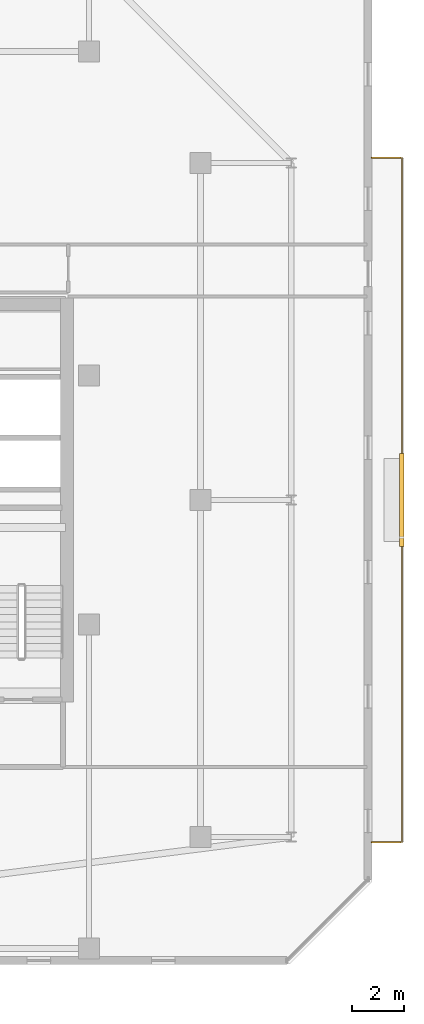
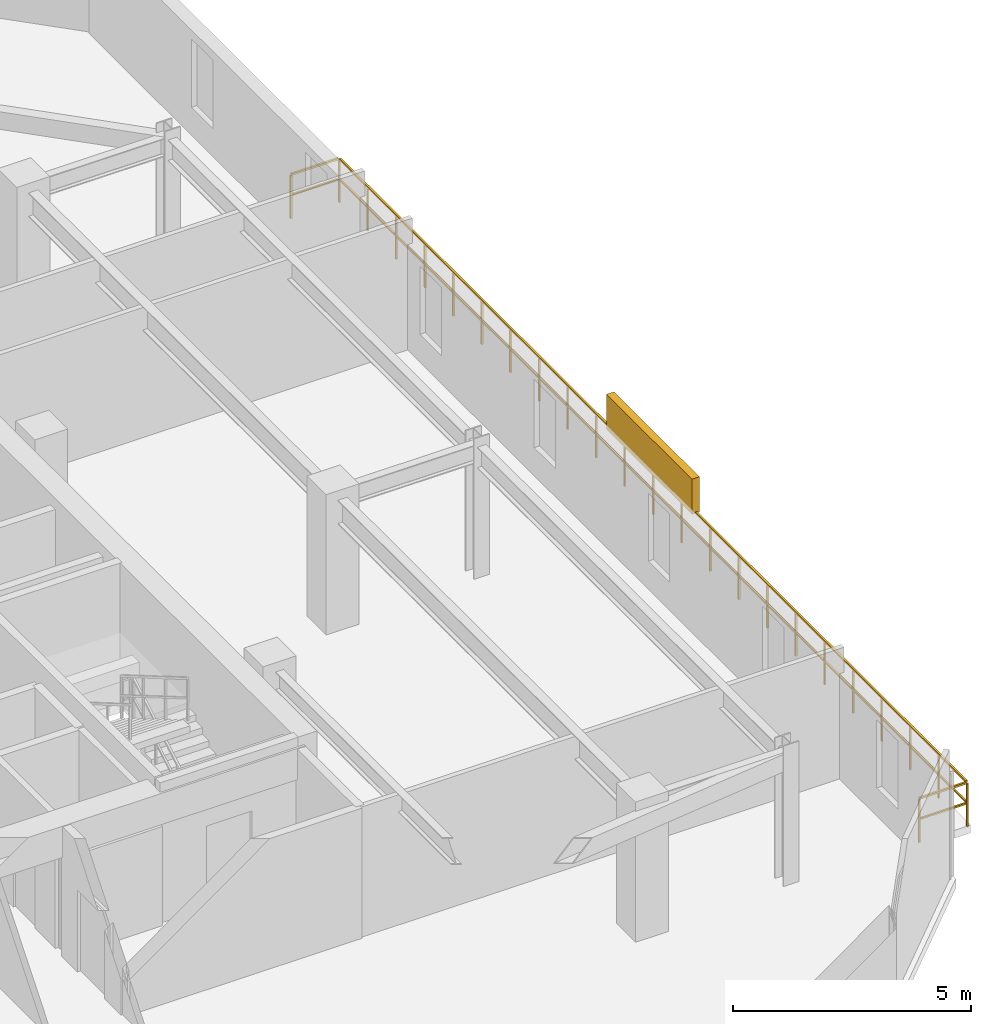
# One storey, part 35 of 35: 1 railing, 1 shading device.
"""IFC4 building model written with IfcOpenShell, lengths in metres."""

from ifc_helpers import new_model, si_unit, direction, frame, origin, origin_2d, place, context, subcontext, project, spatial, rectangle, extrude, material, type_object, element, save


model = new_model("IFC4")

# Units and contexts
model_context = context("Model", 3, precision=1e-05, world=origin(), true_north=direction((0.0, 1.0)))
body_context = subcontext(model_context, "Body", "Model", "MODEL_VIEW")
ifc_project = project(units=[si_unit("LENGTHUNIT", "METRE"), si_unit("AREAUNIT", "SQUARE_METRE"), si_unit("VOLUMEUNIT", "CUBIC_METRE"), si_unit("PLANEANGLEUNIT", "RADIAN"), si_unit("MASSUNIT", "GRAM", prefix="KILO")], contexts=[model_context])

# Site, building, storey
site_placement = place(None, origin())
site = spatial("IfcSite", under=ifc_project, at=site_placement, CompositionType="ELEMENT")
building_placement = place(site_placement, origin())
building = spatial("IfcBuilding", under=site, at=building_placement, Name="Thornwick Lancets Civic Towers", CompositionType="ELEMENT")
storey_placement = place(building_placement, frame((0.0, 0.0, 269.10009765625)))
storey = spatial("IfcBuildingStorey", under=building, at=storey_placement, Name="L72", CompositionType="ELEMENT", Elevation=269.10009765625)

# Railing
ifc_material_1 = material(Name="Terracotta-capped laminated glass balustrade S355", Category="masonry")
railing_type = type_object("IfcRailingType", Name="RAIL_TERR_GUARD", PredefinedType="GUARDRAIL", material=ifc_material_1)
railing_placement = place(storey_placement, frame((112.39990234375, 13.800048828125, 0.0)))
element("IfcRailing", 1, at=railing_placement, inside=storey, type_object=railing_type, Name="L72 Tower B Balcony Guard E", PredefinedType="GUARDRAIL", context=body_context, shape_type="SweptSolid", body=[
    extrude(rectangle(XDim=0.048095703125, YDim=0.048095703125, at=origin_2d()), frame((0.0, 0.0, 1.1259765625), z_axis=(1.0, 0.0, 0.0), x_axis=(0.0, 1.0, 0.0)), (0.0, 0.0, 1.0), 1.138916015625),
    extrude(rectangle(XDim=0.0419921875, YDim=0.0419921875, at=origin_2d()), frame((0.03759765625, 0.0, 0.597900390625), z_axis=(1.0, 0.0, 0.0), x_axis=(0.0, 1.0, 0.0)), (0.0, 0.0, 1.0), 1.09521484375),
    extrude(rectangle(XDim=0.048095703125, YDim=0.048095703125, at=origin_2d()), frame((1.170166015625, 0.03125, 1.1259765625), z_axis=(0.0, 1.0, 0.0), x_axis=(-1.0, 0.0, 0.0)), (0.0, 0.0, 1.0), 26.33740234375),
    extrude(rectangle(XDim=0.0419921875, YDim=0.0419921875, at=origin_2d()), frame((1.170166015625, 0.03759765625, 0.597900390625), z_axis=(0.0, 1.0, 0.0), x_axis=(-1.0, 0.0, 0.0)), (0.0, 0.0, 1.0), 1.125),
    extrude(rectangle(XDim=0.0419921875, YDim=0.0419921875, at=origin_2d()), frame((1.170166015625, 1.237548828125, 0.597900390625), z_axis=(0.0, 1.0, 0.0), x_axis=(-1.0, 0.0, 0.0)), (0.0, 0.0, 1.0), 1.125),
    extrude(rectangle(XDim=0.0419921875, YDim=0.0419921875, at=origin_2d()), frame((1.170166015625, 2.4375, 0.597900390625), z_axis=(0.0, 1.0, 0.0), x_axis=(-1.0, 0.0, 0.0)), (0.0, 0.0, 1.0), 1.125),
    extrude(rectangle(XDim=0.0419921875, YDim=0.0419921875, at=origin_2d()), frame((1.170166015625, 3.637451171875, 0.597900390625), z_axis=(0.0, 1.0, 0.0), x_axis=(-1.0, 0.0, 0.0)), (0.0, 0.0, 1.0), 1.125),
    extrude(rectangle(XDim=0.0419921875, YDim=0.0419921875, at=origin_2d()), frame((1.170166015625, 4.83740234375, 0.597900390625), z_axis=(0.0, 1.0, 0.0), x_axis=(-1.0, 0.0, 0.0)), (0.0, 0.0, 1.0), 1.125),
    extrude(rectangle(XDim=0.0419921875, YDim=0.0419921875, at=origin_2d()), frame((1.170166015625, 6.037353515625, 0.597900390625), z_axis=(0.0, 1.0, 0.0), x_axis=(-1.0, 0.0, 0.0)), (0.0, 0.0, 1.0), 1.125),
    extrude(rectangle(XDim=0.0419921875, YDim=0.0419921875, at=origin_2d()), frame((1.170166015625, 7.237548828125, 0.597900390625), z_axis=(0.0, 1.0, 0.0), x_axis=(-1.0, 0.0, 0.0)), (0.0, 0.0, 1.0), 1.125),
    extrude(rectangle(XDim=0.0419921875, YDim=0.0419921875, at=origin_2d()), frame((1.170166015625, 8.4375, 0.597900390625), z_axis=(0.0, 1.0, 0.0), x_axis=(-1.0, 0.0, 0.0)), (0.0, 0.0, 1.0), 1.125),
    extrude(rectangle(XDim=0.0419921875, YDim=0.0419921875, at=origin_2d()), frame((1.170166015625, 9.637451171875, 0.597900390625), z_axis=(0.0, 1.0, 0.0), x_axis=(-1.0, 0.0, 0.0)), (0.0, 0.0, 1.0), 1.125),
    extrude(rectangle(XDim=0.0419921875, YDim=0.0419921875, at=origin_2d()), frame((1.170166015625, 10.83740234375, 0.597900390625), z_axis=(0.0, 1.0, 0.0), x_axis=(-1.0, 0.0, 0.0)), (0.0, 0.0, 1.0), 1.125),
    extrude(rectangle(XDim=0.0419921875, YDim=0.0419921875, at=origin_2d()), frame((1.170166015625, 12.037353515625, 0.597900390625), z_axis=(0.0, 1.0, 0.0), x_axis=(-1.0, 0.0, 0.0)), (0.0, 0.0, 1.0), 1.125),
    extrude(rectangle(XDim=0.0419921875, YDim=0.0419921875, at=origin_2d()), frame((1.170166015625, 13.237548828125, 0.597900390625), z_axis=(0.0, 1.0, 0.0), x_axis=(-1.0, 0.0, 0.0)), (0.0, 0.0, 1.0), 1.125),
    extrude(rectangle(XDim=0.0419921875, YDim=0.0419921875, at=origin_2d()), frame((1.170166015625, 14.4375, 0.597900390625), z_axis=(0.0, 1.0, 0.0), x_axis=(-1.0, 0.0, 0.0)), (0.0, 0.0, 1.0), 1.125),
    extrude(rectangle(XDim=0.0419921875, YDim=0.0419921875, at=origin_2d()), frame((1.170166015625, 15.637451171875, 0.597900390625), z_axis=(0.0, 1.0, 0.0), x_axis=(-1.0, 0.0, 0.0)), (0.0, 0.0, 1.0), 1.125),
    extrude(rectangle(XDim=0.0419921875, YDim=0.0419921875, at=origin_2d()), frame((1.170166015625, 16.83740234375, 0.597900390625), z_axis=(0.0, 1.0, 0.0), x_axis=(-1.0, 0.0, 0.0)), (0.0, 0.0, 1.0), 1.125),
    extrude(rectangle(XDim=0.0419921875, YDim=0.0419921875, at=origin_2d()), frame((1.170166015625, 18.037353515625, 0.597900390625), z_axis=(0.0, 1.0, 0.0), x_axis=(-1.0, 0.0, 0.0)), (0.0, 0.0, 1.0), 1.125),
    extrude(rectangle(XDim=0.0419921875, YDim=0.0419921875, at=origin_2d()), frame((1.170166015625, 19.2373046875, 0.597900390625), z_axis=(0.0, 1.0, 0.0), x_axis=(-1.0, 0.0, 0.0)), (0.0, 0.0, 1.0), 1.125),
    extrude(rectangle(XDim=0.0419921875, YDim=0.0419921875, at=origin_2d()), frame((1.170166015625, 20.4375, 0.597900390625), z_axis=(0.0, 1.0, 0.0), x_axis=(-1.0, 0.0, 0.0)), (0.0, 0.0, 1.0), 1.125),
    extrude(rectangle(XDim=0.0419921875, YDim=0.0419921875, at=origin_2d()), frame((1.170166015625, 21.637451171875, 0.597900390625), z_axis=(0.0, 1.0, 0.0), x_axis=(-1.0, 0.0, 0.0)), (0.0, 0.0, 1.0), 1.125),
    extrude(rectangle(XDim=0.0419921875, YDim=0.0419921875, at=origin_2d()), frame((1.170166015625, 22.83740234375, 0.597900390625), z_axis=(0.0, 1.0, 0.0), x_axis=(-1.0, 0.0, 0.0)), (0.0, 0.0, 1.0), 1.125),
    extrude(rectangle(XDim=0.0419921875, YDim=0.0419921875, at=origin_2d()), frame((1.170166015625, 24.037353515625, 0.597900390625), z_axis=(0.0, 1.0, 0.0), x_axis=(-1.0, 0.0, 0.0)), (0.0, 0.0, 1.0), 1.125),
    extrude(rectangle(XDim=0.0419921875, YDim=0.0419921875, at=origin_2d()), frame((1.170166015625, 25.2373046875, 0.597900390625), z_axis=(0.0, 1.0, 0.0), x_axis=(-1.0, 0.0, 0.0)), (0.0, 0.0, 1.0), 1.125),
    extrude(rectangle(XDim=0.048095703125, YDim=0.048095703125, at=origin_2d()), frame((1.138916015625, 26.39990234375, 1.1259765625), z_axis=(-1.0, 0.0, 0.0), x_axis=(0.0, -1.0, 0.0)), (0.0, 0.0, 1.0), 1.138916015625),
    extrude(rectangle(XDim=0.0419921875, YDim=0.0419921875, at=origin_2d()), frame((1.132568359375, 26.39990234375, 0.597900390625), z_axis=(-1.0, 0.0, 0.0), x_axis=(0.0, -1.0, 0.0)), (0.0, 0.0, 1.0), 1.09521484375),
    extrude(rectangle(XDim=0.0419921875, YDim=0.0419921875, at=origin_2d()), origin(), (0.0, 0.0, 1.0), 1.095703125),
    extrude(rectangle(XDim=0.0419921875, YDim=0.0419921875, at=origin_2d()), frame((1.170166015625, 0.0, 0.0)), (0.0, 0.0, 1.0), 1.095703125),
    extrude(rectangle(XDim=0.0419921875, YDim=0.0419921875, at=origin_2d()), frame((1.170166015625, 1.199951171875, 0.0)), (0.0, 0.0, 1.0), 1.095703125),
    extrude(rectangle(XDim=0.0419921875, YDim=0.0419921875, at=origin_2d()), frame((1.170166015625, 2.39990234375, 0.0)), (0.0, 0.0, 1.0), 1.095703125),
    extrude(rectangle(XDim=0.0419921875, YDim=0.0419921875, at=origin_2d()), frame((1.170166015625, 3.60009765625, 0.0)), (0.0, 0.0, 1.0), 1.095703125),
    extrude(rectangle(XDim=0.0419921875, YDim=0.0419921875, at=origin_2d()), frame((1.170166015625, 4.800048828125, 0.0)), (0.0, 0.0, 1.0), 1.095703125),
    extrude(rectangle(XDim=0.0419921875, YDim=0.0419921875, at=origin_2d()), frame((1.170166015625, 6.0, 0.0)), (0.0, 0.0, 1.0), 1.095703125),
    extrude(rectangle(XDim=0.0419921875, YDim=0.0419921875, at=origin_2d()), frame((1.170166015625, 7.199951171875, 0.0)), (0.0, 0.0, 1.0), 1.095703125),
    extrude(rectangle(XDim=0.0419921875, YDim=0.0419921875, at=origin_2d()), frame((1.170166015625, 8.39990234375, 0.0)), (0.0, 0.0, 1.0), 1.095703125),
    extrude(rectangle(XDim=0.0419921875, YDim=0.0419921875, at=origin_2d()), frame((1.170166015625, 9.599853515625, 0.0)), (0.0, 0.0, 1.0), 1.095703125),
    extrude(rectangle(XDim=0.0419921875, YDim=0.0419921875, at=origin_2d()), frame((1.170166015625, 10.800048828125, 0.0)), (0.0, 0.0, 1.0), 1.095703125),
    extrude(rectangle(XDim=0.0419921875, YDim=0.0419921875, at=origin_2d()), frame((1.170166015625, 12.0, 0.0)), (0.0, 0.0, 1.0), 1.095703125),
    extrude(rectangle(XDim=0.0419921875, YDim=0.0419921875, at=origin_2d()), frame((1.170166015625, 13.199951171875, 0.0)), (0.0, 0.0, 1.0), 1.095703125),
    extrude(rectangle(XDim=0.0419921875, YDim=0.0419921875, at=origin_2d()), frame((1.170166015625, 14.39990234375, 0.0)), (0.0, 0.0, 1.0), 1.095703125),
    extrude(rectangle(XDim=0.0419921875, YDim=0.0419921875, at=origin_2d()), frame((1.170166015625, 15.599853515625, 0.0)), (0.0, 0.0, 1.0), 1.095703125),
    extrude(rectangle(XDim=0.0419921875, YDim=0.0419921875, at=origin_2d()), frame((1.170166015625, 16.800048828125, 0.0)), (0.0, 0.0, 1.0), 1.095703125),
    extrude(rectangle(XDim=0.0419921875, YDim=0.0419921875, at=origin_2d()), frame((1.170166015625, 18.0, 0.0)), (0.0, 0.0, 1.0), 1.095703125),
    extrude(rectangle(XDim=0.0419921875, YDim=0.0419921875, at=origin_2d()), frame((1.170166015625, 19.199951171875, 0.0)), (0.0, 0.0, 1.0), 1.095703125),
    extrude(rectangle(XDim=0.0419921875, YDim=0.0419921875, at=origin_2d()), frame((1.170166015625, 20.39990234375, 0.0)), (0.0, 0.0, 1.0), 1.095703125),
    extrude(rectangle(XDim=0.0419921875, YDim=0.0419921875, at=origin_2d()), frame((1.170166015625, 21.599853515625, 0.0)), (0.0, 0.0, 1.0), 1.095703125),
    extrude(rectangle(XDim=0.0419921875, YDim=0.0419921875, at=origin_2d()), frame((1.170166015625, 22.7998046875, 0.0)), (0.0, 0.0, 1.0), 1.095703125),
    extrude(rectangle(XDim=0.0419921875, YDim=0.0419921875, at=origin_2d()), frame((1.170166015625, 24.0, 0.0)), (0.0, 0.0, 1.0), 1.095703125),
    extrude(rectangle(XDim=0.0419921875, YDim=0.0419921875, at=origin_2d()), frame((1.170166015625, 25.199951171875, 0.0)), (0.0, 0.0, 1.0), 1.095703125),
    extrude(rectangle(XDim=0.0419921875, YDim=0.0419921875, at=origin_2d()), frame((1.170166015625, 26.39990234375, 0.0)), (0.0, 0.0, 1.0), 1.095703125),
    extrude(rectangle(XDim=0.0419921875, YDim=0.0419921875, at=origin_2d()), frame((0.0, 26.39990234375, 0.0)), (0.0, 0.0, 1.0), 1.095703125),
])

# Shading device
ifc_material_2 = material(Name="Extruded terracotta baguette solar screen", Category="masonry")
shading_device_type = type_object("IfcShadingDeviceType", Name="SHADE_BAGUETTE", PredefinedType="JALOUSIE", material=ifc_material_2)
shading_device_placement = place(storey_placement, frame((113.56005859375, 27.0, 1.119873046875), z_axis=(0.0, 0.0, 1.0), x_axis=(0.0, 1.0, 0.0)))
element("IfcShadingDevice", 2, at=shading_device_placement, inside=storey, type_object=shading_device_type, Name="L72 Tower B Terracotta Baguette Screen E", PredefinedType="JALOUSIE", context=body_context, shape_type="SweptSolid", body=[
    extrude(rectangle(XDim=3.60009765625, YDim=0.179931640625, at=origin_2d()), origin(), (0.0, 0.0, 1.0), 0.89990234375),
])

save(model, "model.ifc")
